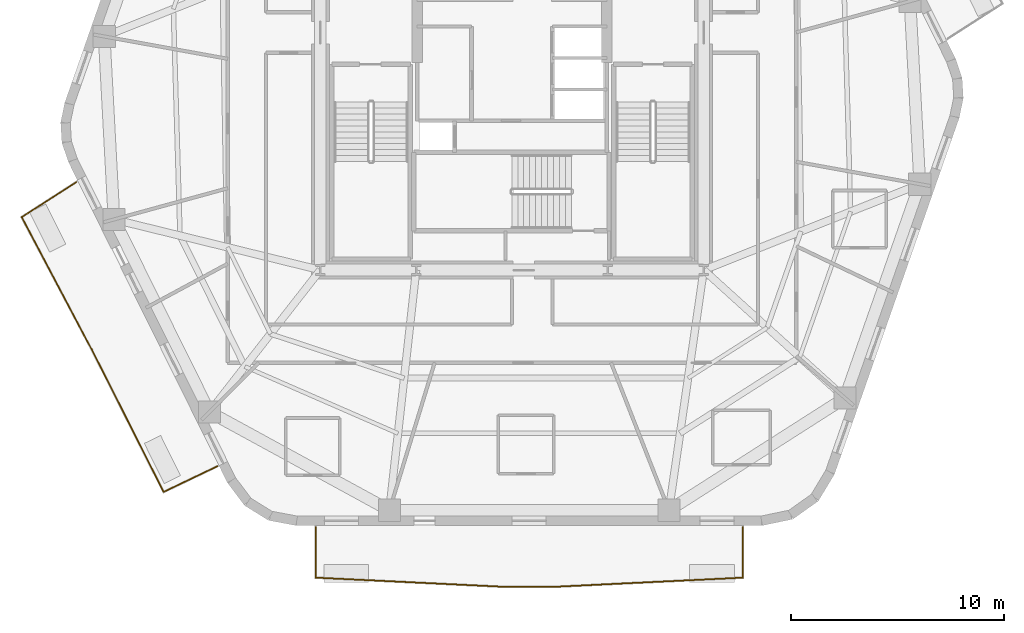
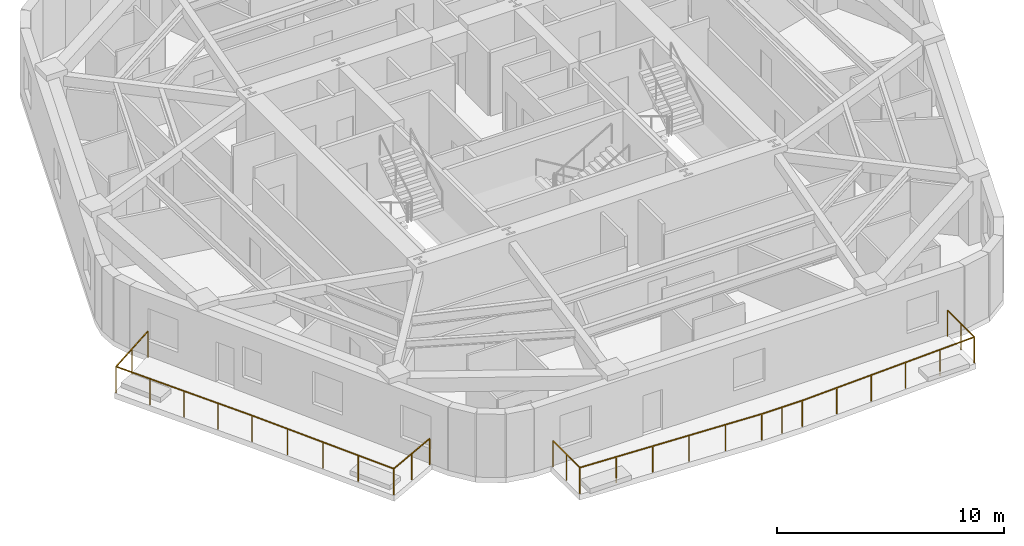
# One storey, part 8 of 10: 2 railings.
"""IFC4 building model written with IfcOpenShell, lengths in metres."""

from ifc_helpers import new_model, si_unit, direction, frame, origin, origin_2d, place, context, subcontext, project, spatial, rectangle, extrude, material, layer, layer_set, type_object, element, save


model = new_model("IFC4")

# Units and contexts
model_context = context("Model", 3, precision=1e-05, world=origin(), true_north=direction((0.0, 1.0)))
body_context = subcontext(model_context, "Body", "Model", "MODEL_VIEW")
ifc_project = project(units=[si_unit("LENGTHUNIT", "METRE"), si_unit("AREAUNIT", "SQUARE_METRE"), si_unit("VOLUMEUNIT", "CUBIC_METRE"), si_unit("PLANEANGLEUNIT", "RADIAN"), si_unit("MASSUNIT", "GRAM", prefix="KILO")], contexts=[model_context])

# Site, building, storey
site_placement = place(None, origin())
site = spatial("IfcSite", under=ifc_project, at=site_placement, CompositionType="ELEMENT")
building_placement = place(site_placement, origin())
building = spatial("IfcBuilding", under=site, at=building_placement, Name="Kilnhurst Terrace Hotel", CompositionType="ELEMENT")
storey_placement = place(building_placement, frame((0.0, 0.0, 148.0)))
storey = spatial("IfcBuildingStorey", under=building, at=storey_placement, Name="L36", CompositionType="ELEMENT", Elevation=148.0)

# Railings
ifc_material = material(Name="Laminated SentryGlas and Stainless Steel AISI 316L Balustrade", Category="steel")
ifc_layer = layer(ifc_material, 0.070068359375, Name="Laminated SentryGlas and Stainless Steel AISI 316L Balustrade")
ifc_layer_set = layer_set([ifc_layer], Name="Laminated SentryGlas and Stainless Steel AISI 316L Balustrade")
railing_type = type_object("IfcRailingType", Name="RLG-BAL-1420", PredefinedType="BALUSTRADE", material=ifc_layer_set)
railing_1_placement = place(storey_placement, frame((-13.83544921875, -16.709716796875, 0.0)))
element("IfcRailing", 1, at=railing_1_placement, inside=storey, type_object=railing_type, Name="L36 Exterior Terrace Guardrail BAL-L2A.1", PredefinedType="BALUSTRADE", context=body_context, shape_type="SweptSolid", body=[
    extrude(rectangle(XDim=0.048095703125, YDim=0.048095703125, at=origin_2d()), frame((0.0, 0.0, 1.39599609375), z_axis=(-0.901469931109, -0.43284173009, 0.0), x_axis=(0.43284173009, -0.901469931109, 0.0)), (0.0, 0.0, 1.0), 2.797119140625),
    extrude(rectangle(XDim=0.048095703125, YDim=0.048095703125, at=origin_2d()), frame((-2.521484375, -1.210693359375, 1.39599609375), z_axis=(-0.450616671131, 0.892717545307, 0.0), x_axis=(-0.892717545307, -0.450616671131, 0.0)), (0.0, 0.0, 1.0), 7.453857421875),
    extrude(rectangle(XDim=0.048095703125, YDim=0.048095703125, at=origin_2d()), frame((-5.88037109375, 5.443603515625, 1.39599609375), z_axis=(-0.4472135955, 0.894427191, 0.0), x_axis=(-0.894427191, -0.4472135955, 0.0)), (0.0, 0.0, 1.0), 0.0009765625),
    extrude(rectangle(XDim=0.048095703125, YDim=0.048095703125, at=origin_2d()), frame((-5.880859375, 5.444580078125, 1.39599609375), z_axis=(-0.46789407085, 0.883784554325, 0.0), x_axis=(-0.883784554325, -0.46789407085, 0.0)), (0.0, 0.0, 1.0), 7.0654296875),
    extrude(rectangle(XDim=0.048095703125, YDim=0.048095703125, at=origin_2d()), frame((-9.186767578125, 11.68896484375, 1.39599609375), z_axis=(0.841139546062, 0.540818143233, 0.0), x_axis=(-0.540818143233, 0.841139546062, 0.0)), (0.0, 0.0, 1.0), 3.056640625),
    extrude(rectangle(XDim=0.0419921875, YDim=0.0419921875, at=origin_2d()), origin(), (0.0, 0.0, 1.0), 1.371826171875),
    extrude(rectangle(XDim=0.0419921875, YDim=0.0419921875, at=origin_2d()), frame((-1.2607421875, -0.60546875, 0.0)), (0.0, 0.0, 1.0), 1.371826171875),
    extrude(rectangle(XDim=0.0419921875, YDim=0.0419921875, at=origin_2d()), frame((-2.521484375, -1.210693359375, 0.0)), (0.0, 0.0, 1.0), 1.371826171875),
    extrude(rectangle(XDim=0.0419921875, YDim=0.0419921875, at=origin_2d()), frame((-3.361328125, 0.452880859375, 0.0)), (0.0, 0.0, 1.0), 1.371826171875),
    extrude(rectangle(XDim=0.0419921875, YDim=0.0419921875, at=origin_2d()), frame((-4.200927734375, 2.116455078125, 0.0)), (0.0, 0.0, 1.0), 1.371826171875),
    extrude(rectangle(XDim=0.0419921875, YDim=0.0419921875, at=origin_2d()), frame((-5.04052734375, 3.780029296875, 0.0)), (0.0, 0.0, 1.0), 1.371826171875),
    extrude(rectangle(XDim=0.0419921875, YDim=0.0419921875, at=origin_2d()), frame((-5.88037109375, 5.443603515625, 0.0)), (0.0, 0.0, 1.0), 1.371826171875),
    extrude(rectangle(XDim=0.0419921875, YDim=0.0419921875, at=origin_2d()), frame((-5.880859375, 5.444580078125, 0.0)), (0.0, 0.0, 1.0), 1.371826171875),
    extrude(rectangle(XDim=0.0419921875, YDim=0.0419921875, at=origin_2d()), frame((-6.707275390625, 7.005615234375, 0.0)), (0.0, 0.0, 1.0), 1.371826171875),
    extrude(rectangle(XDim=0.0419921875, YDim=0.0419921875, at=origin_2d()), frame((-7.53369140625, 8.56689453125, 0.0)), (0.0, 0.0, 1.0), 1.371826171875),
    extrude(rectangle(XDim=0.0419921875, YDim=0.0419921875, at=origin_2d()), frame((-8.3603515625, 10.1279296875, 0.0)), (0.0, 0.0, 1.0), 1.371826171875),
    extrude(rectangle(XDim=0.0419921875, YDim=0.0419921875, at=origin_2d()), frame((-9.186767578125, 11.68896484375, 0.0)), (0.0, 0.0, 1.0), 1.371826171875),
    extrude(rectangle(XDim=0.0419921875, YDim=0.0419921875, at=origin_2d()), frame((-7.9013671875, 12.515625, 0.0)), (0.0, 0.0, 1.0), 1.371826171875),
    extrude(rectangle(XDim=0.0419921875, YDim=0.0419921875, at=origin_2d()), frame((-6.61572265625, 13.342041015625, 0.0)), (0.0, 0.0, 1.0), 1.371826171875),
])
railing_2_placement = place(storey_placement, frame((10.83349609375, -19.580078125, 0.0)))
element("IfcRailing", 2, at=railing_2_placement, inside=storey, type_object=railing_type, Name="L36 Exterior Terrace Guardrail BAL-L2B.1", PredefinedType="BALUSTRADE", context=body_context, shape_type="SweptSolid", body=[
    extrude(rectangle(XDim=0.048095703125, YDim=0.048095703125, at=origin_2d()), frame((0.0, 0.0, 1.39599609375), z_axis=(0.0, -1.0, 0.0), x_axis=(1.0, 0.0, 0.0)), (0.0, 0.0, 1.0), 2.36279296875),
    extrude(rectangle(XDim=0.048095703125, YDim=0.048095703125, at=origin_2d()), frame((0.0, -2.36279296875, 1.39599609375), z_axis=(-0.998822813861, -0.048507592295, 0.0), x_axis=(0.048507592295, -0.998822813861, 0.0)), (0.0, 0.0, 1.0), 9.009033203125),
    extrude(rectangle(XDim=0.048095703125, YDim=0.048095703125, at=origin_2d()), frame((-8.99853515625, -2.7998046875, 1.39599609375), z_axis=(-1.0, 0.0, 0.0), x_axis=(0.0, -1.0, 0.0)), (0.0, 0.0, 1.0), 2.0556640625),
    extrude(rectangle(XDim=0.048095703125, YDim=0.048095703125, at=origin_2d()), frame((-11.05419921875, -2.7998046875, 1.39599609375), z_axis=(-0.998822813861, 0.048507592295, 0.0), x_axis=(-0.048507592295, -0.998822813861, 0.0)), (0.0, 0.0, 1.0), 9.009033203125),
    extrude(rectangle(XDim=0.048095703125, YDim=0.048095703125, at=origin_2d()), frame((-20.052734375, -2.36279296875, 1.39599609375), z_axis=(0.0, 1.0, 0.0), x_axis=(-1.0, 0.0, 0.0)), (0.0, 0.0, 1.0), 2.36279296875),
    extrude(rectangle(XDim=0.0419921875, YDim=0.0419921875, at=origin_2d()), origin(), (0.0, 0.0, 1.0), 1.371826171875),
    extrude(rectangle(XDim=0.0419921875, YDim=0.0419921875, at=origin_2d()), frame((0.0, -1.181396484375, 0.0)), (0.0, 0.0, 1.0), 1.371826171875),
    extrude(rectangle(XDim=0.0419921875, YDim=0.0419921875, at=origin_2d()), frame((0.0, -2.36279296875, 0.0)), (0.0, 0.0, 1.0), 1.371826171875),
    extrude(rectangle(XDim=0.0419921875, YDim=0.0419921875, at=origin_2d()), frame((-1.7998046875, -2.4501953125, 0.0)), (0.0, 0.0, 1.0), 1.371826171875),
    extrude(rectangle(XDim=0.0419921875, YDim=0.0419921875, at=origin_2d()), frame((-3.599365234375, -2.53759765625, 0.0)), (0.0, 0.0, 1.0), 1.371826171875),
    extrude(rectangle(XDim=0.0419921875, YDim=0.0419921875, at=origin_2d()), frame((-5.399169921875, -2.625, 0.0)), (0.0, 0.0, 1.0), 1.371826171875),
    extrude(rectangle(XDim=0.0419921875, YDim=0.0419921875, at=origin_2d()), frame((-7.19873046875, -2.71240234375, 0.0)), (0.0, 0.0, 1.0), 1.371826171875),
    extrude(rectangle(XDim=0.0419921875, YDim=0.0419921875, at=origin_2d()), frame((-8.99853515625, -2.7998046875, 0.0)), (0.0, 0.0, 1.0), 1.371826171875),
    extrude(rectangle(XDim=0.0419921875, YDim=0.0419921875, at=origin_2d()), frame((-10.0263671875, -2.7998046875, 0.0)), (0.0, 0.0, 1.0), 1.371826171875),
    extrude(rectangle(XDim=0.0419921875, YDim=0.0419921875, at=origin_2d()), frame((-11.05419921875, -2.7998046875, 0.0)), (0.0, 0.0, 1.0), 1.371826171875),
    extrude(rectangle(XDim=0.0419921875, YDim=0.0419921875, at=origin_2d()), frame((-12.85400390625, -2.71240234375, 0.0)), (0.0, 0.0, 1.0), 1.371826171875),
    extrude(rectangle(XDim=0.0419921875, YDim=0.0419921875, at=origin_2d()), frame((-14.653564453125, -2.625, 0.0)), (0.0, 0.0, 1.0), 1.371826171875),
    extrude(rectangle(XDim=0.0419921875, YDim=0.0419921875, at=origin_2d()), frame((-16.453369140625, -2.53759765625, 0.0)), (0.0, 0.0, 1.0), 1.371826171875),
    extrude(rectangle(XDim=0.0419921875, YDim=0.0419921875, at=origin_2d()), frame((-18.2529296875, -2.4501953125, 0.0)), (0.0, 0.0, 1.0), 1.371826171875),
    extrude(rectangle(XDim=0.0419921875, YDim=0.0419921875, at=origin_2d()), frame((-20.052734375, -2.36279296875, 0.0)), (0.0, 0.0, 1.0), 1.371826171875),
    extrude(rectangle(XDim=0.0419921875, YDim=0.0419921875, at=origin_2d()), frame((-20.052734375, -1.181396484375, 0.0)), (0.0, 0.0, 1.0), 1.371826171875),
    extrude(rectangle(XDim=0.0419921875, YDim=0.0419921875, at=origin_2d()), frame((-20.052734375, 0.0, 0.0)), (0.0, 0.0, 1.0), 1.371826171875),
])

save(model, "model.ifc")
